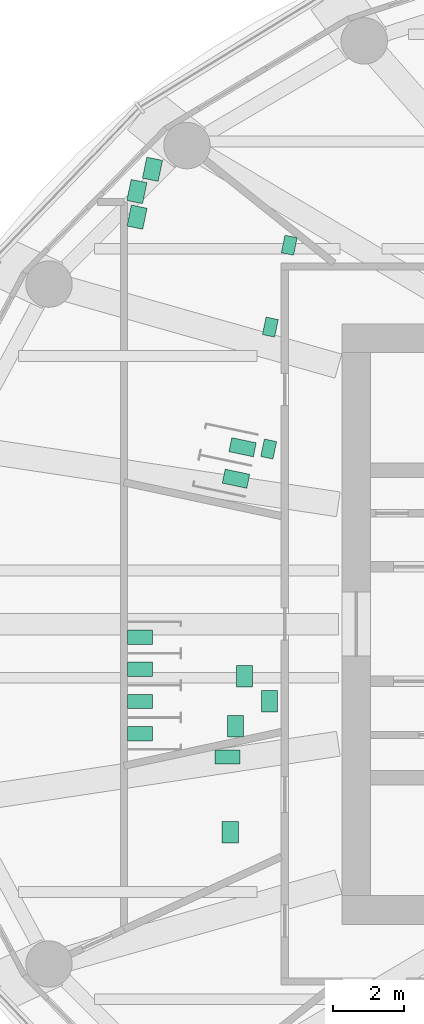
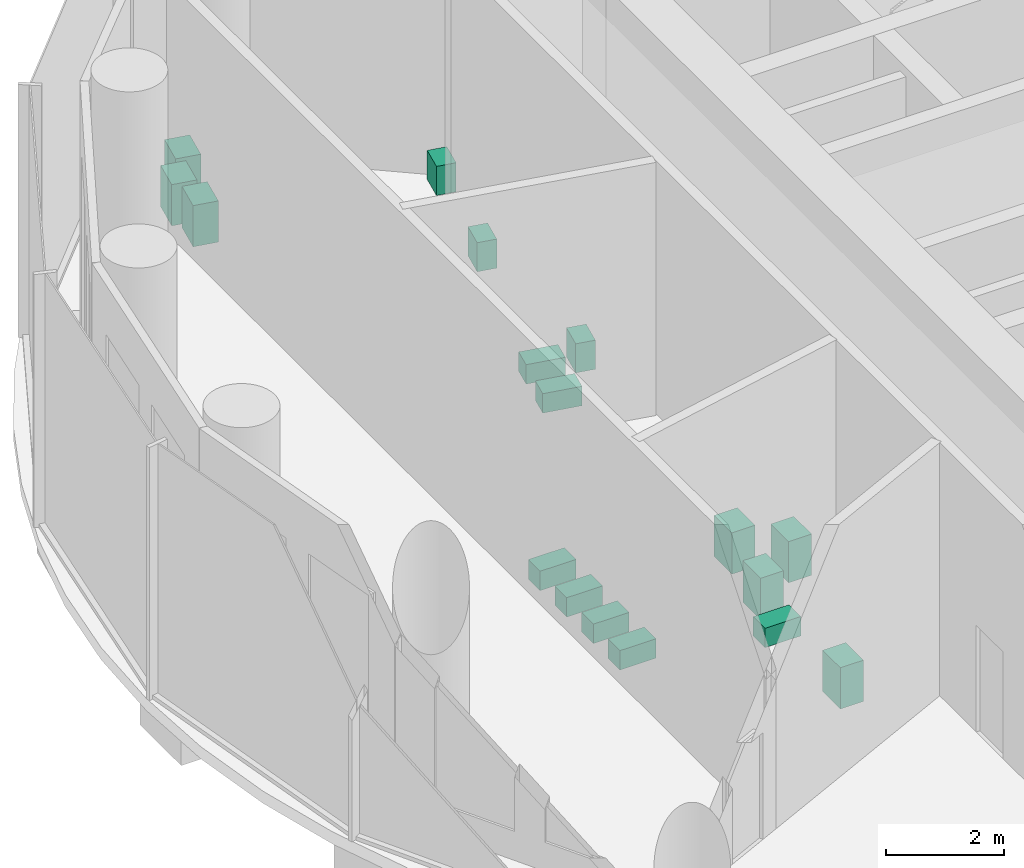
# One storey, part 11 of 13: 17 sanitary terminals.
"""IFC4 building model written with IfcOpenShell, lengths in metres."""

import ifcopenshell
import ifcopenshell.guid

model = None  # the IFC model being written
_history = None  # IfcOwnerHistory: only IFC2X3 demands one
_inside = {}  # id of a spatial element -> (the spatial element, [elements in it])
_under = {}  # id of a project, library or spatial element -> (it, [spatial elements below it])
_declared = {}  # id of a project -> (the project, [libraries it declares])
_typed = {}  # id of a type object -> (the type object, [elements of that type])
_made_of = {}  # id of a material, layer set ... -> (it, [elements and type objects made of it])


def new_model(schema):
    """Start an empty IFC model of exactly this schema.

    Asked for "IFC4X3", IfcOpenShell would pick the latest addendum, in which some entities
    have other attributes; the version numbers below select the first issue.
    IFC2X3 requires an IfcOwnerHistory on every rooted entity: one is made here for all.
    """
    global model, _history
    if schema == "IFC4X3":
        model = ifcopenshell.file(schema_version=(4, 3, 0, 0))
    else:
        model = ifcopenshell.file(schema=schema)
    _inside.clear()
    _under.clear()
    _declared.clear()
    _typed.clear()
    _made_of.clear()
    _history = None
    if model.schema == "IFC2X3":
        org = make("IfcOrganization", Name="unknown")
        user = make(
            "IfcPersonAndOrganization",
            ThePerson=make("IfcPerson", FamilyName="unknown"),
            TheOrganization=org,
        )
        app = make(
            "IfcApplication",
            ApplicationDeveloper=org,
            Version="unknown",
            ApplicationFullName="unknown",
            ApplicationIdentifier="unknown",
        )
        _history = make(
            "IfcOwnerHistory",
            OwningUser=user,
            OwningApplication=app,
            ChangeAction="ADDED",
            CreationDate=0,
        )
    return model


def make(cls, **values):
    """One entity of the class cls with the attributes given. An attribute that is None is left unset."""
    return model.create_entity(
        cls, **{name: value for name, value in values.items() if value is not None}
    )


def rooted(cls, **values):
    """An entity with a GlobalId (a new one), such as an element, a storey or a relation."""
    return make(cls, GlobalId=ifcopenshell.guid.new(), OwnerHistory=_history, **values)


def si_unit(unit_type, name, prefix=None):
    """IfcSIUnit, for example si_unit("LENGTHUNIT", "METRE", prefix="MILLI")."""
    return make("IfcSIUnit", UnitType=unit_type, Prefix=prefix, Name=name)


def assignment(units):
    """IfcUnitAssignment: the units of a project."""
    return None if units is None else make("IfcUnitAssignment", Units=units)


def point(xyz):
    """IfcCartesianPoint."""
    return None if xyz is None else make("IfcCartesianPoint", Coordinates=xyz)


def direction(xyz):
    """IfcDirection."""
    return None if xyz is None else make("IfcDirection", DirectionRatios=xyz)


def frame(location, z_axis=None, x_axis=None):
    """IfcAxis2Placement3D, a coordinate frame: its origin and axes. An axis left out is left unset."""
    return make(
        "IfcAxis2Placement3D",
        Location=point(location),
        Axis=direction(z_axis),
        RefDirection=direction(x_axis),
    )


def frame_2d(location, x_axis=None):
    """IfcAxis2Placement2D, a coordinate frame in the plane: its origin and x axis."""
    return make(
        "IfcAxis2Placement2D", Location=point(location), RefDirection=direction(x_axis)
    )


def origin():
    """The frame at (0, 0, 0) with its axes left unset."""
    return frame((0.0, 0.0, 0.0))


def origin_2d():
    """The frame at (0, 0) in the plane with its x axis left unset."""
    return frame_2d((0.0, 0.0))


def place(relative_to, where):
    """IfcLocalPlacement: puts the frame where relative to a parent placement (None: the world)."""
    return make(
        "IfcLocalPlacement", PlacementRelTo=relative_to, RelativePlacement=where
    )


def context(
    kind, dimensions, precision=None, world=None, true_north=None, identifier=None
):
    """IfcGeometricRepresentationContext, for example the 3D "Model" context."""
    return make(
        "IfcGeometricRepresentationContext",
        ContextIdentifier=identifier,
        ContextType=kind,
        CoordinateSpaceDimension=dimensions,
        Precision=precision,
        WorldCoordinateSystem=world,
        TrueNorth=true_north,
    )


def subcontext(parent, identifier, kind, view, scale=None):
    """IfcGeometricRepresentationSubContext, for example "Body" below "Model"."""
    return make(
        "IfcGeometricRepresentationSubContext",
        ContextIdentifier=identifier,
        ContextType=kind,
        ParentContext=parent,
        TargetScale=scale,
        TargetView=view,
    )


def project(units=None, contexts=None):
    """IfcProject with its units and contexts."""
    return rooted(
        "IfcProject",
        Name="project",
        RepresentationContexts=contexts,
        UnitsInContext=assignment(units),
    )


def spatial(cls, under=None, at=None, **own):
    """A site, building, storey or space (cls), placed at a placement, below another one or the project."""
    s = rooted(cls, ObjectPlacement=at, **own)
    if under is not None:
        _under.setdefault(under.id(), (under, []))[1].append(s)
    return s


def profile(cls, at=None, kind="AREA", **sizes):
    """A parametric profile (cls). Its sizes go by their IFC names, for example OverallWidth=200.0."""
    return make(cls, ProfileType=kind, Position=at, **sizes)


def rectangle(**sizes):
    """IfcRectangleProfileDef."""
    return profile("IfcRectangleProfileDef", **sizes)


def extrude(swept, where, along, depth):
    """IfcExtrudedAreaSolid: the profile swept, set in the frame where, extruded along a direction by depth."""
    return make(
        "IfcExtrudedAreaSolid",
        SweptArea=swept,
        Position=where,
        ExtrudedDirection=direction(along),
        Depth=depth,
    )


def shape(context_of_items, identifier, shape_type, items):
    """IfcShapeRepresentation: the items that make up one representation, for example the "Body"."""
    return make(
        "IfcShapeRepresentation",
        ContextOfItems=context_of_items,
        RepresentationIdentifier=identifier,
        RepresentationType=shape_type,
        Items=items,
    )


def made_of(thing, what):
    """Note that an element or type object is made of a material, layer set ...; save() writes the relation."""
    if what is not None:
        _made_of.setdefault(what.id(), (what, []))[1].append(thing)
    return thing


def element(
    cls,
    number,
    at=None,
    inside=None,
    cuts=None,
    type_object=None,
    material=None,
    context=None,
    identifier="Body",
    shape_type=None,
    held_by="IfcProductDefinitionShape",
    body=None,
    shapes=None,
    **own,
):
    """One element of the class cls, such as IfcWall. Its Tag is "e" and its number.

    at: its placement. inside: the storey or other place that contains it. cuts: it is an
    opening in that element (IfcRelVoidsElement). A single representation is given by context,
    identifier, shape_type and body (its items); several are given by shapes. held_by: the class
    of the entity that holds the representations. save() writes the other relations.
    """
    e = rooted(cls, Tag="e%d" % number, ObjectPlacement=at, **own)
    if body is not None:
        shapes = [shape(context, identifier, shape_type, body)]
    if shapes is not None:
        e.Representation = make(held_by, Representations=shapes)
    if inside is not None:
        _inside.setdefault(inside.id(), (inside, []))[1].append(e)
    if cuts is not None:
        rooted(
            "IfcRelVoidsElement", RelatingBuildingElement=cuts, RelatedOpeningElement=e
        )
    if type_object is not None:
        _typed.setdefault(type_object.id(), (type_object, []))[1].append(e)
    return made_of(e, material)


def aggregate(whole, parts):
    """IfcRelAggregates: a whole, such as a stair, and the parts it consists of."""
    return rooted("IfcRelAggregates", RelatingObject=whole, RelatedObjects=parts)


def save(model, path):
    """Write the relations noted so far, then the file.

    IfcRelAggregates (storeys below a building ...), IfcRelContainedInSpatialStructure (elements
    in a storey), IfcRelDefinesByType, IfcRelAssociatesMaterial and IfcRelDeclares: one each for
    every whole, place, type object, material and project.
    """
    for whole, parts in _under.values():
        aggregate(whole, parts)
    for where, things in _inside.values():
        rooted(
            "IfcRelContainedInSpatialStructure",
            RelatedElements=things,
            RelatingStructure=where,
        )
    for kind, things in _typed.values():
        rooted("IfcRelDefinesByType", RelatedObjects=things, RelatingType=kind)
    for what, things in _made_of.values():
        rooted("IfcRelAssociatesMaterial", RelatedObjects=things, RelatingMaterial=what)
    for by, libraries in _declared.values():
        rooted("IfcRelDeclares", RelatingContext=by, RelatedDefinitions=libraries)
    model.write(path)


model = new_model("IFC4")

# Units and contexts
model_context = context("Model", 3, precision=1e-05, world=origin(), true_north=direction((0.0, 1.0)))
body_context = subcontext(model_context, "Body", "Model", "MODEL_VIEW")
ifc_project = project(units=[si_unit("LENGTHUNIT", "METRE"), si_unit("AREAUNIT", "SQUARE_METRE"), si_unit("VOLUMEUNIT", "CUBIC_METRE"), si_unit("PLANEANGLEUNIT", "RADIAN"), si_unit("MASSUNIT", "GRAM", prefix="KILO")], contexts=[model_context])

# Site, building, storey
site_placement = place(None, origin())
site = spatial("IfcSite", under=ifc_project, at=site_placement, CompositionType="ELEMENT")
building_placement = place(site_placement, origin())
building = spatial("IfcBuilding", under=site, at=building_placement, Name="Hankou Lantern Tower", CompositionType="ELEMENT")
storey_placement = place(building_placement, frame((0.0, 0.0, 100.199951171875)))
storey = spatial("IfcBuildingStorey", under=building, at=storey_placement, Name="L25", CompositionType="ELEMENT", Elevation=100.199951171875)

# Sanitary terminals
for number, where, z_axis, x_axis, name in (
    (1, (-15.18017578125, 4.94677734375, 0.0), (0.0, 0.0, 1.0), (-0.204022788451, -0.978966139247, 0.0), "Male WC WC pan 1"),
    (2, (-15.36376953125, 4.06591796875, 0.0), (0.0, 0.0, 1.0), (-0.204022788451, -0.978966139247, 0.0), "Male WC WC pan 2"),
):
    element("IfcSanitaryTerminal", number, at=place(storey_placement, frame(where, z_axis=z_axis, x_axis=x_axis)), inside=storey, Name=name, PredefinedType="TOILETPAN", context=body_context, shape_type="SweptSolid", body=[
        extrude(rectangle(XDim=0.39990234375, YDim=0.699951171875, at=origin_2d()), origin(), (0.0, 0.0, 1.0), 0.39990234375),
    ])
for number, where, z_axis, x_axis, name in (
    (3, (-13.87451171875, 10.599365234375, 0.0), (0.0, 0.0, 1.0), (-0.204022788451, -0.978966139247, 0.0), "Male WC urinal 1"),
    (4, (-14.40283203125, 8.30908203125, 0.0), (0.0, 0.0, 1.0), (-0.204022788451, -0.978966139247, 0.0), "Male WC urinal 2"),
    (5, (-14.449951171875, 4.896728515625, 0.0), (0.0, 0.0, 1.0), (-0.204022788451, -0.978966139247, 0.0), "Male WC urinal 3"),
):
    element("IfcSanitaryTerminal", number, at=place(storey_placement, frame(where, z_axis=z_axis, x_axis=x_axis)), inside=storey, Name=name, PredefinedType="URINAL", context=body_context, shape_type="SweptSolid", body=[
        extrude(rectangle(XDim=0.5, YDim=0.35009765625, at=origin_2d()), origin(), (0.0, 0.0, 1.0), 0.60009765625),
    ])
for number, where, z_axis, x_axis, name in (
    (6, (-17.700927734375, 12.724609375, 0.0), (0.0, 0.0, 1.0), (-0.204022788451, -0.978966139247, 0.0), "Male WC wash basin 1"),
    (7, (-18.137451171875, 12.1005859375, 0.0), (0.0, 0.0, 1.0), (-0.204022788451, -0.978966139247, 0.0), "Male WC wash basin 2"),
    (8, (-18.13330078125, 11.384765625, 0.0), (0.0, 0.0, 1.0), (-0.204022788451, -0.978966139247, 0.0), "Male WC wash basin 3"),
):
    element("IfcSanitaryTerminal", number, at=place(storey_placement, frame(where, z_axis=z_axis, x_axis=x_axis)), inside=storey, Name=name, PredefinedType="WASHHANDBASIN", context=body_context, shape_type="SweptSolid", body=[
        extrude(rectangle(XDim=0.60009765625, YDim=0.449951171875, at=origin_2d()), origin(), (0.0, 0.0, 1.0), 0.85009765625),
    ])
for number, where, z_axis, x_axis, name in (
    (9, (-18.050048828125, -3.065673828125, 0.0), (0.0, 0.0, 1.0), (0.0, 1.0, 0.0), "Female WC WC pan 1"),
    (10, (-18.050048828125, -2.16552734375, 0.0), (0.0, 0.0, 1.0), (0.0, 1.0, 0.0), "Female WC WC pan 2"),
    (11, (-18.050048828125, -1.265625, 0.0), (0.0, 0.0, 1.0), (0.0, 1.0, 0.0), "Female WC WC pan 3"),
    (12, (-18.050048828125, -0.365478515625, 0.0), (0.0, 0.0, 1.0), (0.0, 1.0, 0.0), "Female WC WC pan 4"),
):
    element("IfcSanitaryTerminal", number, at=place(storey_placement, frame(where, z_axis=z_axis, x_axis=x_axis)), inside=storey, Name=name, PredefinedType="TOILETPAN", context=body_context, shape_type="SweptSolid", body=[
        extrude(rectangle(XDim=0.39990234375, YDim=0.699951171875, at=origin_2d()), origin(), (0.0, 0.0, 1.0), 0.39990234375),
    ])
for number, where, z_axis, x_axis, name in (
    (13, (-15.375, -2.865478515625, 0.0), (0.0, 0.0, 1.0), (0.0, 1.0, 0.0), "Female WC wash basin 1"),
    (14, (-14.425048828125, -2.16552734375, 0.0), (0.0, 0.0, 1.0), (0.0, 1.0, 0.0), "Female WC wash basin 2"),
    (15, (-15.125, -1.465576171875, 0.0), (0.0, 0.0, 1.0), (0.0, 1.0, 0.0), "Female WC wash basin 3"),
):
    element("IfcSanitaryTerminal", number, at=place(storey_placement, frame(where, z_axis=z_axis, x_axis=x_axis)), inside=storey, Name=name, PredefinedType="WASHHANDBASIN", context=body_context, shape_type="SweptSolid", body=[
        extrude(rectangle(XDim=0.60009765625, YDim=0.449951171875, at=origin_2d()), origin(), (0.0, 0.0, 1.0), 0.85009765625),
    ])
sanitary_terminal_1_placement = place(storey_placement, frame((-15.60009765625, -3.722412109375, 0.0), z_axis=(0.0, 0.0, 1.0), x_axis=(0.0, -1.0, 0.0)))
element("IfcSanitaryTerminal", 16, at=sanitary_terminal_1_placement, inside=storey, Name="Accessible WC WC pan 1", PredefinedType="TOILETPAN", context=body_context, shape_type="SweptSolid", body=[
    extrude(rectangle(XDim=0.39990234375, YDim=0.699951171875, at=origin_2d()), origin(), (0.0, 0.0, 1.0), 0.39990234375),
])
sanitary_terminal_2_placement = place(storey_placement, frame((-15.52490234375, -5.822509765625, 0.0), z_axis=(0.0, 0.0, 1.0), x_axis=(0.0, -1.0, 0.0)))
element("IfcSanitaryTerminal", 17, at=sanitary_terminal_2_placement, inside=storey, Name="Accessible WC wash basin 1", PredefinedType="WASHHANDBASIN", context=body_context, shape_type="SweptSolid", body=[
    extrude(rectangle(XDim=0.60009765625, YDim=0.449951171875, at=origin_2d()), origin(), (0.0, 0.0, 1.0), 0.85009765625),
])

save(model, "model.ifc")
